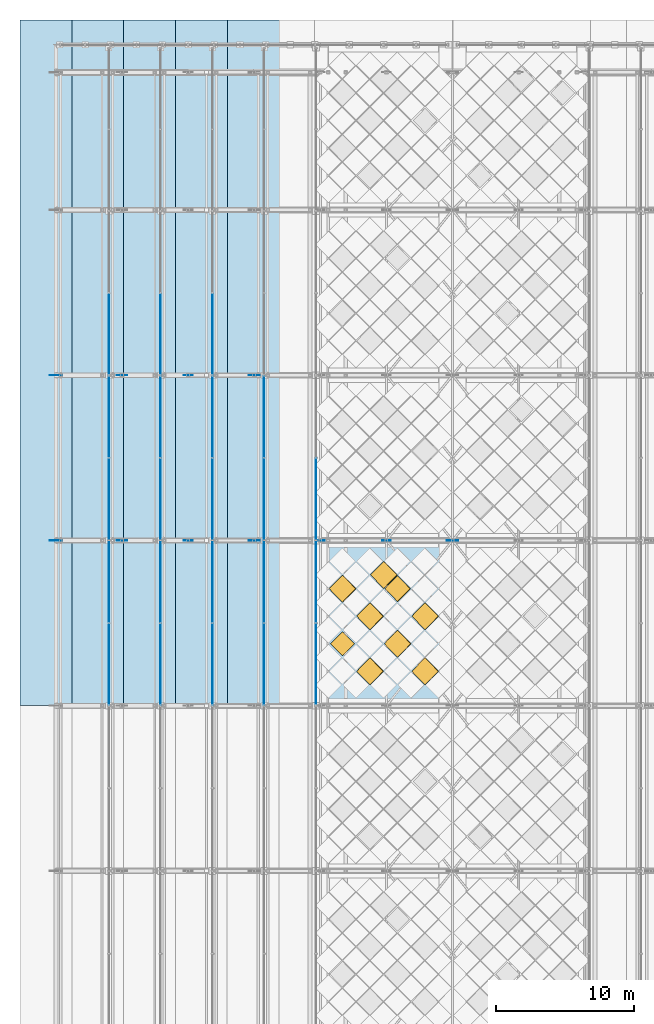
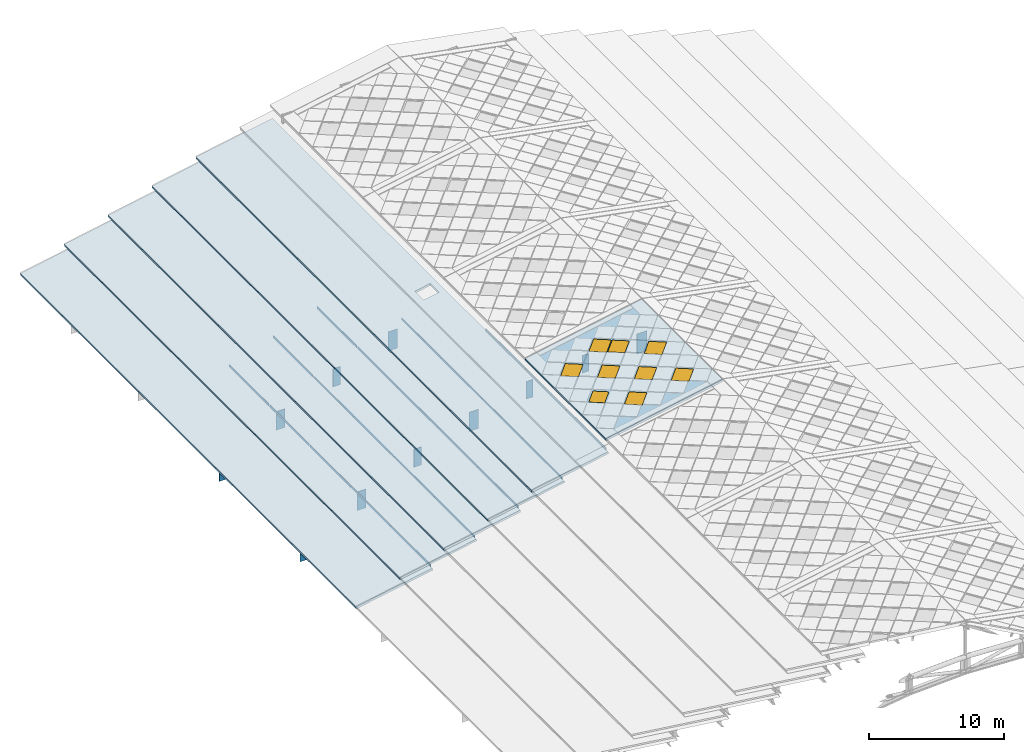
# One storey, part 93 of 117: 33 plates, 9 windows, 6 slabs, 9 openings, 8 elements without a shape of their own.
"""IFC4 building model written with IfcOpenShell, lengths in metres."""

from ifc_helpers import new_model, si_unit, direction, frame, origin, origin_2d, place, context, subcontext, project, spatial, polyline, rectangle, outline, extrude, material, layer, layer_set, type_object, element, fill, aggregate, save


model = new_model("IFC4")

# Units and contexts
model_context = context("Model", 3, precision=1e-05, world=origin(), true_north=direction((0.0, 1.0)))
body_context = subcontext(model_context, "Body", "Model", "MODEL_VIEW")
ifc_project = project(units=[si_unit("LENGTHUNIT", "METRE"), si_unit("AREAUNIT", "SQUARE_METRE"), si_unit("VOLUMEUNIT", "CUBIC_METRE"), si_unit("PLANEANGLEUNIT", "RADIAN"), si_unit("MASSUNIT", "GRAM", prefix="KILO")], contexts=[model_context])

# Site, building, storey
site_placement = place(None, origin())
site = spatial("IfcSite", under=ifc_project, at=site_placement, CompositionType="ELEMENT")
building_placement = place(site_placement, origin())
building = spatial("IfcBuilding", under=site, at=building_placement, Name="Merenkruunu Market Hall", CompositionType="ELEMENT")
storey_placement = place(building_placement, frame((0.0, 0.0, 22.800048828125)))
storey = spatial("IfcBuildingStorey", under=building, at=storey_placement, Name="RF", CompositionType="ELEMENT", Elevation=22.800048828125)

# Curtain wall, plates
ifc_material_1 = material(Name="Powder-coated aluminium", Category="aluminium")
curtain_wall_type = type_object("IfcCurtainWallType", Name="Clerestory Curtain Band CL05", PredefinedType="USERDEFINED", material=ifc_material_1)
curtain_wall_1_placement = place(storey_placement, origin())
curtain_wall_1 = element("IfcCurtainWall", 1, at=curtain_wall_1_placement, inside=storey, type_object=curtain_wall_type, Name="CW-RF-CWM04-085", ObjectType="CLERESTORY_BAND", PredefinedType="USERDEFINED")
ifc_material_2 = material(Name="Triple low-E insulated glass", Category="glass")
ifc_layer_1 = layer(ifc_material_2, 0.035888671875)
ifc_layer_set_1 = layer_set([ifc_layer_1], Name="Triple low-E insulated glass")
plate_type_1 = type_object("IfcPlateType", Name="Curtain Wall Glazing Panel CWP08", PredefinedType="CURTAIN_PANEL", material=ifc_layer_set_1)
plate_1_placement = place(storey_placement, frame((3.840087890625, 66.617431640625, -6.462158203125), z_axis=(0.0, 0.0, 1.0), x_axis=(0.0, 1.0, 0.0)))
plate_1 = element("IfcPlate", 2, at=plate_1_placement, type_object=plate_type_1, Name="CL05 panel 1.1", PredefinedType="CURTAIN_PANEL", context=body_context, shape_type="SweptSolid", body=[
    extrude(rectangle(XDim=5.89501953125, YDim=0.035888671875, at=origin_2d()), origin(), (0.0, 0.0, 1.0), 0.22802734375),
])
plate_2_placement = place(storey_placement, frame((3.840087890625, 72.60009765625, -6.462158203125), z_axis=(0.0, 0.0, 1.0), x_axis=(0.0, 1.0, 0.0)))
plate_2 = element("IfcPlate", 3, at=plate_2_placement, type_object=plate_type_1, Name="CL05 panel 2.1", PredefinedType="CURTAIN_PANEL", context=body_context, shape_type="SweptSolid", body=[
    extrude(rectangle(XDim=5.929931640625, YDim=0.035888671875, at=origin_2d()), origin(), (0.0, 0.0, 1.0), 0.22802734375),
])
plate_3_placement = place(storey_placement, frame((3.840087890625, 78.60009765625, -6.462158203125), z_axis=(0.0, 0.0, 1.0), x_axis=(0.0, 1.0, 0.0)))
plate_3 = element("IfcPlate", 4, at=plate_3_placement, type_object=plate_type_1, Name="CL05 panel 3.1", PredefinedType="CURTAIN_PANEL", context=body_context, shape_type="SweptSolid", body=[
    extrude(rectangle(XDim=5.929931640625, YDim=0.035888671875, at=origin_2d()), origin(), (0.0, 0.0, 1.0), 0.22802734375),
])
plate_4_placement = place(storey_placement, frame((3.840087890625, 84.58251953125, -6.462158203125), z_axis=(0.0, 0.0, 1.0), x_axis=(0.0, 1.0, 0.0)))
plate_4 = element("IfcPlate", 5, at=plate_4_placement, type_object=plate_type_1, Name="CL05 panel 4.1", PredefinedType="CURTAIN_PANEL", context=body_context, shape_type="SweptSolid", body=[
    extrude(rectangle(XDim=5.89501953125, YDim=0.035888671875, at=origin_2d()), origin(), (0.0, 0.0, 1.0), 0.22802734375),
])
aggregate(curtain_wall_1, [plate_1, plate_2, plate_3, plate_4])

# Curtain wall, plate
curtain_wall_2_placement = place(storey_placement, origin())
curtain_wall_2 = element("IfcCurtainWall", 6, at=curtain_wall_2_placement, inside=storey, type_object=curtain_wall_type, Name="CW-RF-CWM04-087", ObjectType="CLERESTORY_BAND", PredefinedType="USERDEFINED")
plate_5_placement = place(storey_placement, frame((3.840087890625, 90.592529296875, -6.462158203125), z_axis=(0.0, 0.0, 1.0), x_axis=(0.0, 1.0, 0.0)))
plate_5 = element("IfcPlate", 7, at=plate_5_placement, type_object=plate_type_1, Name="CL05 panel 1.1", PredefinedType="CURTAIN_PANEL", context=body_context, shape_type="SweptSolid", body=[
    extrude(rectangle(XDim=5.844970703125, YDim=0.035888671875, at=origin_2d()), origin(), (0.0, 0.0, 1.0), 0.22802734375),
])
aggregate(curtain_wall_2, [plate_5])

# Curtain wall, plates
curtain_wall_3_placement = place(storey_placement, origin())
curtain_wall_3 = element("IfcCurtainWall", 8, at=curtain_wall_3_placement, inside=storey, type_object=curtain_wall_type, Name="CW-RF-CWM04-093", ObjectType="CLERESTORY_BAND", PredefinedType="USERDEFINED")
plate_6_placement = place(storey_placement, frame((7.60009765625, 66.617431640625, -5.14208984375), z_axis=(0.0, 0.0, 1.0), x_axis=(0.0, 1.0, 0.0)))
plate_6 = element("IfcPlate", 9, at=plate_6_placement, type_object=plate_type_1, Name="CL05 panel 1.1", PredefinedType="CURTAIN_PANEL", context=body_context, shape_type="SweptSolid", body=[
    extrude(rectangle(XDim=5.89501953125, YDim=0.035888671875, at=origin_2d()), origin(), (0.0, 0.0, 1.0), 0.20703125),
])
plate_7_placement = place(storey_placement, frame((7.60009765625, 72.60009765625, -5.14208984375), z_axis=(0.0, 0.0, 1.0), x_axis=(0.0, 1.0, 0.0)))
plate_7 = element("IfcPlate", 10, at=plate_7_placement, type_object=plate_type_1, Name="CL05 panel 2.1", PredefinedType="CURTAIN_PANEL", context=body_context, shape_type="SweptSolid", body=[
    extrude(rectangle(XDim=5.929931640625, YDim=0.035888671875, at=origin_2d()), origin(), (0.0, 0.0, 1.0), 0.20703125),
])
plate_8_placement = place(storey_placement, frame((7.60009765625, 78.60009765625, -5.14208984375), z_axis=(0.0, 0.0, 1.0), x_axis=(0.0, 1.0, 0.0)))
plate_8 = element("IfcPlate", 11, at=plate_8_placement, type_object=plate_type_1, Name="CL05 panel 3.1", PredefinedType="CURTAIN_PANEL", context=body_context, shape_type="SweptSolid", body=[
    extrude(rectangle(XDim=5.929931640625, YDim=0.035888671875, at=origin_2d()), origin(), (0.0, 0.0, 1.0), 0.20703125),
])
plate_9_placement = place(storey_placement, frame((7.60009765625, 84.58251953125, -5.14208984375), z_axis=(0.0, 0.0, 1.0), x_axis=(0.0, 1.0, 0.0)))
plate_9 = element("IfcPlate", 12, at=plate_9_placement, type_object=plate_type_1, Name="CL05 panel 4.1", PredefinedType="CURTAIN_PANEL", context=body_context, shape_type="SweptSolid", body=[
    extrude(rectangle(XDim=5.89501953125, YDim=0.035888671875, at=origin_2d()), origin(), (0.0, 0.0, 1.0), 0.20703125),
])
aggregate(curtain_wall_3, [plate_6, plate_7, plate_8, plate_9])

# Curtain wall, plate
curtain_wall_4_placement = place(storey_placement, origin())
curtain_wall_4 = element("IfcCurtainWall", 13, at=curtain_wall_4_placement, inside=storey, type_object=curtain_wall_type, Name="CW-RF-CWM04-095", ObjectType="CLERESTORY_BAND", PredefinedType="USERDEFINED")
plate_10_placement = place(storey_placement, frame((7.60009765625, 90.592529296875, -5.14208984375), z_axis=(0.0, 0.0, 1.0), x_axis=(0.0, 1.0, 0.0)))
plate_10 = element("IfcPlate", 14, at=plate_10_placement, type_object=plate_type_1, Name="CL05 panel 1.1", PredefinedType="CURTAIN_PANEL", context=body_context, shape_type="SweptSolid", body=[
    extrude(rectangle(XDim=5.844970703125, YDim=0.035888671875, at=origin_2d()), origin(), (0.0, 0.0, 1.0), 0.20703125),
])
aggregate(curtain_wall_4, [plate_10])

# Curtain wall, plates
curtain_wall_5_placement = place(storey_placement, origin())
curtain_wall_5 = element("IfcCurtainWall", 15, at=curtain_wall_5_placement, inside=storey, type_object=curtain_wall_type, Name="CW-RF-CWM04-101", ObjectType="CLERESTORY_BAND", PredefinedType="USERDEFINED")
plate_11_placement = place(storey_placement, frame((11.360107421875, 66.617431640625, -3.822021484375), z_axis=(0.0, 0.0, 1.0), x_axis=(0.0, 1.0, 0.0)))
plate_11 = element("IfcPlate", 16, at=plate_11_placement, type_object=plate_type_1, Name="CL05 panel 1.1", PredefinedType="CURTAIN_PANEL", context=body_context, shape_type="SweptSolid", body=[
    extrude(rectangle(XDim=5.89501953125, YDim=0.035888671875, at=origin_2d()), origin(), (0.0, 0.0, 1.0), 0.22802734375),
])
plate_12_placement = place(storey_placement, frame((11.360107421875, 72.60009765625, -3.822021484375), z_axis=(0.0, 0.0, 1.0), x_axis=(0.0, 1.0, 0.0)))
plate_12 = element("IfcPlate", 17, at=plate_12_placement, type_object=plate_type_1, Name="CL05 panel 2.1", PredefinedType="CURTAIN_PANEL", context=body_context, shape_type="SweptSolid", body=[
    extrude(rectangle(XDim=5.929931640625, YDim=0.035888671875, at=origin_2d()), origin(), (0.0, 0.0, 1.0), 0.22802734375),
])
plate_13_placement = place(storey_placement, frame((11.360107421875, 78.60009765625, -3.822021484375), z_axis=(0.0, 0.0, 1.0), x_axis=(0.0, 1.0, 0.0)))
plate_13 = element("IfcPlate", 18, at=plate_13_placement, type_object=plate_type_1, Name="CL05 panel 3.1", PredefinedType="CURTAIN_PANEL", context=body_context, shape_type="SweptSolid", body=[
    extrude(rectangle(XDim=5.929931640625, YDim=0.035888671875, at=origin_2d()), origin(), (0.0, 0.0, 1.0), 0.22802734375),
])
plate_14_placement = place(storey_placement, frame((11.360107421875, 84.58251953125, -3.822021484375), z_axis=(0.0, 0.0, 1.0), x_axis=(0.0, 1.0, 0.0)))
plate_14 = element("IfcPlate", 19, at=plate_14_placement, type_object=plate_type_1, Name="CL05 panel 4.1", PredefinedType="CURTAIN_PANEL", context=body_context, shape_type="SweptSolid", body=[
    extrude(rectangle(XDim=5.89501953125, YDim=0.035888671875, at=origin_2d()), origin(), (0.0, 0.0, 1.0), 0.22802734375),
])
aggregate(curtain_wall_5, [plate_11, plate_12, plate_13, plate_14])

# Curtain wall, plate
curtain_wall_6_placement = place(storey_placement, origin())
curtain_wall_6 = element("IfcCurtainWall", 20, at=curtain_wall_6_placement, inside=storey, type_object=curtain_wall_type, Name="CW-RF-CWM04-103", ObjectType="CLERESTORY_BAND", PredefinedType="USERDEFINED")
plate_15_placement = place(storey_placement, frame((11.360107421875, 90.592529296875, -3.822021484375), z_axis=(0.0, 0.0, 1.0), x_axis=(0.0, 1.0, 0.0)))
plate_15 = element("IfcPlate", 21, at=plate_15_placement, type_object=plate_type_1, Name="CL05 panel 1.1", PredefinedType="CURTAIN_PANEL", context=body_context, shape_type="SweptSolid", body=[
    extrude(rectangle(XDim=5.844970703125, YDim=0.035888671875, at=origin_2d()), origin(), (0.0, 0.0, 1.0), 0.22802734375),
])
aggregate(curtain_wall_6, [plate_15])

# Curtain wall, plates
curtain_wall_7_placement = place(storey_placement, origin())
curtain_wall_7 = element("IfcCurtainWall", 22, at=curtain_wall_7_placement, inside=storey, type_object=curtain_wall_type, Name="CW-RF-CWM04-109", ObjectType="CLERESTORY_BAND", PredefinedType="USERDEFINED")
plate_16_placement = place(storey_placement, frame((15.1201171875, 66.617431640625, -2.501953125), z_axis=(0.0, 0.0, 1.0), x_axis=(0.0, 1.0, 0.0)))
plate_16 = element("IfcPlate", 23, at=plate_16_placement, type_object=plate_type_1, Name="CL05 panel 1.1", PredefinedType="CURTAIN_PANEL", context=body_context, shape_type="SweptSolid", body=[
    extrude(rectangle(XDim=5.89501953125, YDim=0.035888671875, at=origin_2d()), origin(), (0.0, 0.0, 1.0), 0.20703125),
])
plate_17_placement = place(storey_placement, frame((15.1201171875, 72.60009765625, -2.501953125), z_axis=(0.0, 0.0, 1.0), x_axis=(0.0, 1.0, 0.0)))
plate_17 = element("IfcPlate", 24, at=plate_17_placement, type_object=plate_type_1, Name="CL05 panel 2.1", PredefinedType="CURTAIN_PANEL", context=body_context, shape_type="SweptSolid", body=[
    extrude(rectangle(XDim=5.929931640625, YDim=0.035888671875, at=origin_2d()), origin(), (0.0, 0.0, 1.0), 0.20703125),
])
plate_18_placement = place(storey_placement, frame((15.1201171875, 78.60009765625, -2.501953125), z_axis=(0.0, 0.0, 1.0), x_axis=(0.0, 1.0, 0.0)))
plate_18 = element("IfcPlate", 25, at=plate_18_placement, type_object=plate_type_1, Name="CL05 panel 3.1", PredefinedType="CURTAIN_PANEL", context=body_context, shape_type="SweptSolid", body=[
    extrude(rectangle(XDim=5.929931640625, YDim=0.035888671875, at=origin_2d()), origin(), (0.0, 0.0, 1.0), 0.20703125),
])
plate_19_placement = place(storey_placement, frame((15.1201171875, 84.58251953125, -2.501953125), z_axis=(0.0, 0.0, 1.0), x_axis=(0.0, 1.0, 0.0)))
plate_19 = element("IfcPlate", 26, at=plate_19_placement, type_object=plate_type_1, Name="CL05 panel 4.1", PredefinedType="CURTAIN_PANEL", context=body_context, shape_type="SweptSolid", body=[
    extrude(rectangle(XDim=5.89501953125, YDim=0.035888671875, at=origin_2d()), origin(), (0.0, 0.0, 1.0), 0.20703125),
])
aggregate(curtain_wall_7, [plate_16, plate_17, plate_18, plate_19])

curtain_wall_8_placement = place(storey_placement, origin())
curtain_wall_8 = element("IfcCurtainWall", 27, at=curtain_wall_8_placement, inside=storey, type_object=curtain_wall_type, Name="CW-RF-CWM04-117", ObjectType="CLERESTORY_BAND", PredefinedType="USERDEFINED")
plate_20_placement = place(storey_placement, frame((18.8798828125, 66.617431640625, -1.18212890625), z_axis=(0.0, 0.0, 1.0), x_axis=(0.0, 1.0, 0.0)))
plate_20 = element("IfcPlate", 28, at=plate_20_placement, type_object=plate_type_1, Name="CL05 panel 1.1", PredefinedType="CURTAIN_PANEL", context=body_context, shape_type="SweptSolid", body=[
    extrude(rectangle(XDim=5.89501953125, YDim=0.035888671875, at=origin_2d()), origin(), (0.0, 0.0, 1.0), 0.22802734375),
])
plate_21_placement = place(storey_placement, frame((18.8798828125, 72.60009765625, -1.18212890625), z_axis=(0.0, 0.0, 1.0), x_axis=(0.0, 1.0, 0.0)))
plate_21 = element("IfcPlate", 29, at=plate_21_placement, type_object=plate_type_1, Name="CL05 panel 2.1", PredefinedType="CURTAIN_PANEL", context=body_context, shape_type="SweptSolid", body=[
    extrude(rectangle(XDim=5.929931640625, YDim=0.035888671875, at=origin_2d()), origin(), (0.0, 0.0, 1.0), 0.22802734375),
])
plate_22_placement = place(storey_placement, frame((18.8798828125, 78.60009765625, -1.18212890625), z_axis=(0.0, 0.0, 1.0), x_axis=(0.0, 1.0, 0.0)))
plate_22 = element("IfcPlate", 30, at=plate_22_placement, type_object=plate_type_1, Name="CL05 panel 3.1", PredefinedType="CURTAIN_PANEL", context=body_context, shape_type="SweptSolid", body=[
    extrude(rectangle(XDim=5.929931640625, YDim=0.035888671875, at=origin_2d()), origin(), (0.0, 0.0, 1.0), 0.22802734375),
])
aggregate(curtain_wall_8, [plate_20, plate_21, plate_22])

# Slabs
ifc_material_3 = material(Name="High-albedo white roof Steel S355ML", Category="steel")
ifc_layer_2 = layer(ifc_material_3, 0.199951171875)
ifc_layer_set_2 = layer_set([ifc_layer_2], Name="High-albedo white roof Steel S355ML")
slab_type_1 = type_object("IfcSlabType", Name="Sloped Or Flat Roof Deck RS01", PredefinedType="ROOF", material=ifc_layer_set_2)
slab_1_placement = place(storey_placement, frame((-2.60009765625, 63.60009765625, -7.800048828125), z_axis=(-0.182233397966, 0.0, 0.983255301875), x_axis=(0.983255301875, 0.0, 0.182233397966)))
element("IfcSlab", 31, at=slab_1_placement, inside=storey, type_object=slab_type_1, Name="SL-ROOF-V1-TW1-N", PredefinedType="ROOF", context=body_context, shape_type="SweptSolid", body=[
    extrude(outline(polyline([(0.0, 0.0), (6.671775459779865, 0.0), (6.671775459779865, 49.7998046875), (0.0, 49.7998046875), (0.0, 0.0)]), holes=[polyline([(4.841049288943523, 24.25), (6.16328588066131, 24.25), (6.16328588066131, 25.5498046875), (4.841049288943523, 25.5498046875), (4.841049288943523, 24.25)])]), origin(), (0.0, 0.0, -1.0), 0.199951171875),
])
slab_2_placement = place(storey_placement, frame((4.919921875, 63.60009765625, -5.16015625), z_axis=(-0.182233397966, 0.0, 0.983255301875), x_axis=(0.983255301875, 0.0, 0.182233397966)))
element("IfcSlab", 32, at=slab_2_placement, inside=storey, type_object=slab_type_1, Name="SL-ROOF-V1-TW3-N", PredefinedType="ROOF", context=body_context, shape_type="SweptSolid", body=[
    extrude(outline(polyline([(0.0, 0.0), (6.671775459779865, 0.0), (6.671775459779865, 49.7998046875), (0.0, 49.7998046875), (0.0, 0.0)]), holes=[polyline([(4.841093779519199, 24.25), (6.16328588066131, 24.25), (6.16328588066131, 25.5498046875), (4.841093779519199, 25.5498046875), (4.841093779519199, 24.25)])]), origin(), (0.0, 0.0, -1.0), 0.199951171875),
])
slab_3_placement = place(storey_placement, frame((12.43994140625, 63.60009765625, -2.52001953125), z_axis=(-0.182233397966, 0.0, 0.983255301875), x_axis=(0.983255301875, 0.0, 0.182233397966)))
element("IfcSlab", 33, at=slab_3_placement, inside=storey, type_object=slab_type_1, Name="SL-ROOF-V1-TW5-N", PredefinedType="ROOF", context=body_context, shape_type="SweptSolid", body=[
    extrude(outline(polyline([(0.0, 0.0), (6.671775459779865, 0.0), (6.671775459779865, 49.7998046875), (0.0, 49.7998046875), (0.0, 0.0)]), holes=[polyline([(4.841049288943523, 24.25), (6.16328588066131, 24.25), (6.16328588066131, 25.5498046875), (4.841049288943523, 25.5498046875), (4.841049288943523, 24.25)])]), origin(), (0.0, 0.0, -1.0), 0.199951171875),
])

# Slab, openings, windows
slab_4_placement = place(storey_placement, frame((18.800048828125, 63.60009765625, -0.080078125), z_axis=(-0.184775267092, 0.0, 0.98278079991), x_axis=(0.98278079991, 0.0, 0.184775267092)))
slab_4 = element("IfcSlab", 34, at=slab_4_placement, inside=storey, type_object=slab_type_1, Name="SL-ROOF-V1-CROWN-W-05", PredefinedType="ROOF", context=body_context, shape_type="SweptSolid", body=[
    extrude(outline(polyline([(0.0, 0.0), (10.175208959027184, 0.0), (10.175208959027184, 12.0), (0.0, 12.0), (0.0, 0.0)])), origin(), (0.0, 0.0, -1.0), 0.199951171875),
])
opening_1_placement = place(slab_4_placement, frame((8.14013671875, 2.5, 0.0), z_axis=(0.0, 0.0, 1.0), x_axis=(0.707106781187, 0.707106781187, 0.0)))
opening_1 = element("IfcOpeningElement", 35, at=opening_1_placement, cuts=slab_4, Name="Opening SK01", PredefinedType="OPENING", context=body_context, shape_type="SweptSolid", body=[
    extrude(rectangle(XDim=1.3798828125, YDim=1.3798828125, at=origin_2d()), frame((0.0, 0.0, 0.014892578125), z_axis=(0.0, 0.0, -1.0), x_axis=(1.0, 0.0, 0.0)), (0.0, 0.0, 1.0), 0.229736328125),
])
opening_2_placement = place(slab_4_placement, frame((8.14013671875, 6.5, 0.0), z_axis=(0.0, 0.0, 1.0), x_axis=(0.707106781187, 0.707106781187, 0.0)))
opening_2 = element("IfcOpeningElement", 36, at=opening_2_placement, cuts=slab_4, Name="Opening SK01", PredefinedType="OPENING", context=body_context, shape_type="SweptSolid", body=[
    extrude(rectangle(XDim=1.3798828125, YDim=1.3798828125, at=origin_2d()), frame((0.0, 0.0, 0.014892578125), z_axis=(0.0, 0.0, -1.0), x_axis=(1.0, 0.0, 0.0)), (0.0, 0.0, 1.0), 0.229736328125),
])
opening_3_placement = place(slab_4_placement, frame((6.10498046875, 4.5, -0.000244140625), z_axis=(0.0, 0.0, 1.0), x_axis=(0.707106781187, 0.707106781187, 0.0)))
opening_3 = element("IfcOpeningElement", 37, at=opening_3_placement, cuts=slab_4, Name="Opening SK01", PredefinedType="OPENING", context=body_context, shape_type="SweptSolid", body=[
    extrude(rectangle(XDim=1.3798828125, YDim=1.3798828125, at=origin_2d()), frame((0.0, 0.0, 0.014892578125), z_axis=(0.0, 0.0, -1.0), x_axis=(1.0, 0.0, 0.0)), (0.0, 0.0, 1.0), 0.229736328125),
])
opening_4_placement = place(slab_4_placement, frame((6.10498046875, 8.5, -0.000244140625), z_axis=(0.0, 0.0, 1.0), x_axis=(0.707106781187, 0.707106781187, 0.0)))
opening_4 = element("IfcOpeningElement", 38, at=opening_4_placement, cuts=slab_4, Name="Opening SK02", PredefinedType="OPENING", context=body_context, shape_type="SweptSolid", body=[
    extrude(rectangle(XDim=1.320068359375, YDim=1.320068359375, at=origin_2d()), frame((0.0, 0.0, 0.014892578125), z_axis=(0.0, 0.0, -1.0), x_axis=(1.0, 0.0, 0.0)), (0.0, 0.0, 1.0), 0.229736328125),
])
opening_5_placement = place(slab_4_placement, frame((5.087646484375, 9.5, 0.0), z_axis=(0.0, 0.0, 1.0), x_axis=(0.707106781187, 0.707106781187, 0.0)))
opening_5 = element("IfcOpeningElement", 39, at=opening_5_placement, cuts=slab_4, Name="Opening SK01", PredefinedType="OPENING", context=body_context, shape_type="SweptSolid", body=[
    extrude(rectangle(XDim=1.3798828125, YDim=1.3798828125, at=origin_2d()), frame((0.0, 0.0, 0.014892578125), z_axis=(0.0, 0.0, -1.0), x_axis=(1.0, 0.0, 0.0)), (0.0, 0.0, 1.0), 0.229736328125),
])
opening_6_placement = place(slab_4_placement, frame((4.070068359375, 2.5, 0.0), z_axis=(0.0, 0.0, 1.0), x_axis=(0.707106781187, 0.707106781187, 0.0)))
opening_6 = element("IfcOpeningElement", 40, at=opening_6_placement, cuts=slab_4, Name="Opening SK01", PredefinedType="OPENING", context=body_context, shape_type="SweptSolid", body=[
    extrude(rectangle(XDim=1.3798828125, YDim=1.3798828125, at=origin_2d()), frame((0.0, 0.0, 0.014892578125), z_axis=(0.0, 0.0, -1.0), x_axis=(1.0, 0.0, 0.0)), (0.0, 0.0, 1.0), 0.229736328125),
])
opening_7_placement = place(slab_4_placement, frame((4.070068359375, 6.5, 0.0), z_axis=(0.0, 0.0, 1.0), x_axis=(0.707106781187, 0.707106781187, 0.0)))
opening_7 = element("IfcOpeningElement", 41, at=opening_7_placement, cuts=slab_4, Name="Opening SK01", PredefinedType="OPENING", context=body_context, shape_type="SweptSolid", body=[
    extrude(rectangle(XDim=1.3798828125, YDim=1.3798828125, at=origin_2d()), frame((0.0, 0.0, 0.014892578125), z_axis=(0.0, 0.0, -1.0), x_axis=(1.0, 0.0, 0.0)), (0.0, 0.0, 1.0), 0.229736328125),
])
opening_8_placement = place(slab_4_placement, frame((2.034912109375, 4.5, 0.0), z_axis=(0.0, 0.0, 1.0), x_axis=(0.707106781187, 0.707106781187, 0.0)))
opening_8 = element("IfcOpeningElement", 42, at=opening_8_placement, cuts=slab_4, Name="Opening SK03", PredefinedType="OPENING", context=body_context, shape_type="SweptSolid", body=[
    extrude(rectangle(XDim=1.239990234375, YDim=1.239990234375, at=origin_2d()), frame((0.0, 0.0, 0.014892578125), z_axis=(0.0, 0.0, -1.0), x_axis=(1.0, 0.0, 0.0)), (0.0, 0.0, 1.0), 0.229736328125),
])
opening_9_placement = place(slab_4_placement, frame((2.034912109375, 8.5, 0.0), z_axis=(0.0, 0.0, 1.0), x_axis=(0.707106781187, 0.707106781187, 0.0)))
opening_9 = element("IfcOpeningElement", 43, at=opening_9_placement, cuts=slab_4, Name="Opening SK01", PredefinedType="OPENING", context=body_context, shape_type="SweptSolid", body=[
    extrude(rectangle(XDim=1.3798828125, YDim=1.3798828125, at=origin_2d()), frame((0.0, 0.0, 0.014892578125), z_axis=(0.0, 0.0, -1.0), x_axis=(1.0, 0.0, 0.0)), (0.0, 0.0, 1.0), 0.229736328125),
])
ifc_material_4 = material(Name="Diamond skylight blue triple glass", Category="glass")
ifc_layer_3 = layer(ifc_material_4, 0.094970703125)
ifc_layer_set_3 = layer_set([ifc_layer_3], Name="Diamond skylight blue triple glass")
window_type_1 = type_object("IfcWindowType", Name="Diamond Roof Skylight SK01", PartitioningType="SINGLE_PANEL", PredefinedType="SKYLIGHT", material=ifc_layer_set_3)
window_1_placement = place(opening_1_placement, origin())
window_1 = element("IfcWindow", 44, at=window_1_placement, inside=storey, type_object=window_type_1, Name="SKY-CROWN-073", OverallHeight=1.3798828125, OverallWidth=1.3798828125, PartitioningType="SINGLE_PANEL", PredefinedType="SKYLIGHT", context=body_context, shape_type="SweptSolid", body=[
    extrude(rectangle(XDim=1.3798828125, YDim=1.3798828125, at=origin_2d()), frame((0.0, 0.0, 0.0), z_axis=(0.0, 0.0, -1.0), x_axis=(1.0, 0.0, 0.0)), (0.0, 0.0, 1.0), 0.094970703125),
])
fill(opening_1, window_1)
window_2_placement = place(opening_2_placement, origin())
window_2 = element("IfcWindow", 45, at=window_2_placement, inside=storey, type_object=window_type_1, Name="SKY-CROWN-074", OverallHeight=1.3798828125, OverallWidth=1.3798828125, PartitioningType="SINGLE_PANEL", PredefinedType="SKYLIGHT", context=body_context, shape_type="SweptSolid", body=[
    extrude(rectangle(XDim=1.3798828125, YDim=1.3798828125, at=origin_2d()), frame((0.0, 0.0, 0.0), z_axis=(0.0, 0.0, -1.0), x_axis=(1.0, 0.0, 0.0)), (0.0, 0.0, 1.0), 0.094970703125),
])
fill(opening_2, window_2)
window_3_placement = place(opening_3_placement, origin())
window_3 = element("IfcWindow", 46, at=window_3_placement, inside=storey, type_object=window_type_1, Name="SKY-CROWN-075", OverallHeight=1.3798828125, OverallWidth=1.3798828125, PartitioningType="SINGLE_PANEL", PredefinedType="SKYLIGHT", context=body_context, shape_type="SweptSolid", body=[
    extrude(rectangle(XDim=1.3798828125, YDim=1.3798828125, at=origin_2d()), frame((0.0, 0.0, 0.0), z_axis=(0.0, 0.0, -1.0), x_axis=(1.0, 0.0, 0.0)), (0.0, 0.0, 1.0), 0.094970703125),
])
fill(opening_3, window_3)
window_4_placement = place(opening_5_placement, origin())
window_4 = element("IfcWindow", 47, at=window_4_placement, inside=storey, type_object=window_type_1, Name="SKY-CROWN-077", OverallHeight=1.3798828125, OverallWidth=1.3798828125, PartitioningType="SINGLE_PANEL", PredefinedType="SKYLIGHT", context=body_context, shape_type="SweptSolid", body=[
    extrude(rectangle(XDim=1.3798828125, YDim=1.3798828125, at=origin_2d()), frame((0.0, 0.0, 0.0), z_axis=(0.0, 0.0, -1.0), x_axis=(1.0, 0.0, 0.0)), (0.0, 0.0, 1.0), 0.094970703125),
])
fill(opening_5, window_4)
window_5_placement = place(opening_6_placement, origin())
window_5 = element("IfcWindow", 48, at=window_5_placement, inside=storey, type_object=window_type_1, Name="SKY-CROWN-078", OverallHeight=1.3798828125, OverallWidth=1.3798828125, PartitioningType="SINGLE_PANEL", PredefinedType="SKYLIGHT", context=body_context, shape_type="SweptSolid", body=[
    extrude(rectangle(XDim=1.3798828125, YDim=1.3798828125, at=origin_2d()), frame((0.0, 0.0, 0.0), z_axis=(0.0, 0.0, -1.0), x_axis=(1.0, 0.0, 0.0)), (0.0, 0.0, 1.0), 0.094970703125),
])
fill(opening_6, window_5)
window_6_placement = place(opening_7_placement, origin())
window_6 = element("IfcWindow", 49, at=window_6_placement, inside=storey, type_object=window_type_1, Name="SKY-CROWN-079", OverallHeight=1.3798828125, OverallWidth=1.3798828125, PartitioningType="SINGLE_PANEL", PredefinedType="SKYLIGHT", context=body_context, shape_type="SweptSolid", body=[
    extrude(rectangle(XDim=1.3798828125, YDim=1.3798828125, at=origin_2d()), frame((0.0, 0.0, 0.0), z_axis=(0.0, 0.0, -1.0), x_axis=(1.0, 0.0, 0.0)), (0.0, 0.0, 1.0), 0.094970703125),
])
fill(opening_7, window_6)
window_7_placement = place(opening_9_placement, origin())
window_7 = element("IfcWindow", 50, at=window_7_placement, inside=storey, type_object=window_type_1, Name="SKY-CROWN-081", OverallHeight=1.3798828125, OverallWidth=1.3798828125, PartitioningType="SINGLE_PANEL", PredefinedType="SKYLIGHT", context=body_context, shape_type="SweptSolid", body=[
    extrude(rectangle(XDim=1.3798828125, YDim=1.3798828125, at=origin_2d()), frame((0.0, 0.0, 0.0), z_axis=(0.0, 0.0, -1.0), x_axis=(1.0, 0.0, 0.0)), (0.0, 0.0, 1.0), 0.094970703125),
])
fill(opening_9, window_7)
ifc_layer_4 = layer(ifc_material_4, 0.094970703125)
ifc_layer_set_4 = layer_set([ifc_layer_4], Name="Diamond skylight blue triple glass")
window_type_2 = type_object("IfcWindowType", Name="Diamond Roof Skylight SK02", PartitioningType="SINGLE_PANEL", PredefinedType="SKYLIGHT", material=ifc_layer_set_4)
window_8_placement = place(opening_4_placement, origin())
window_8 = element("IfcWindow", 51, at=window_8_placement, inside=storey, type_object=window_type_2, Name="SKY-CROWN-076", OverallHeight=1.320068359375, OverallWidth=1.320068359375, PartitioningType="SINGLE_PANEL", PredefinedType="SKYLIGHT", context=body_context, shape_type="SweptSolid", body=[
    extrude(rectangle(XDim=1.320068359375, YDim=1.320068359375, at=origin_2d()), frame((0.0, 0.0, 0.0), z_axis=(0.0, 0.0, -1.0), x_axis=(1.0, 0.0, 0.0)), (0.0, 0.0, 1.0), 0.094970703125),
])
fill(opening_4, window_8)
ifc_layer_5 = layer(ifc_material_4, 0.094970703125)
ifc_layer_set_5 = layer_set([ifc_layer_5], Name="Diamond skylight blue triple glass")
window_type_3 = type_object("IfcWindowType", Name="Roof Smoke Vent Skylight SK03", PartitioningType="SINGLE_PANEL", PredefinedType="SKYLIGHT", material=ifc_layer_set_5)
window_9_placement = place(opening_8_placement, origin())
window_9 = element("IfcWindow", 52, at=window_9_placement, inside=storey, type_object=window_type_3, Name="SKY-CROWN-080", OverallHeight=1.239990234375, OverallWidth=1.239990234375, PartitioningType="SINGLE_PANEL", PredefinedType="SKYLIGHT", context=body_context, shape_type="SweptSolid", body=[
    extrude(rectangle(XDim=1.239990234375, YDim=1.239990234375, at=origin_2d()), frame((0.0, 0.0, 0.0), z_axis=(0.0, 0.0, -1.0), x_axis=(1.0, 0.0, 0.0)), (0.0, 0.0, 1.0), 0.094970703125),
])
fill(opening_8, window_9)

# Slabs
ifc_layer_6 = layer(ifc_material_3, 0.179931640625)
ifc_layer_set_6 = layer_set([ifc_layer_6], Name="High-albedo white roof Steel S355ML")
slab_type_2 = type_object("IfcSlabType", Name="Sloped Or Flat Roof Deck RS02", PredefinedType="ROOF", material=ifc_layer_set_6)
slab_5_placement = place(storey_placement, frame((1.159912109375, 63.60009765625, -6.47998046875), z_axis=(-0.182233397966, 0.0, 0.983255301875), x_axis=(0.983255301875, 0.0, 0.182233397966)))
element("IfcSlab", 53, at=slab_5_placement, inside=storey, type_object=slab_type_2, Name="SL-ROOF-V1-TW2-N", PredefinedType="ROOF", context=body_context, shape_type="SweptSolid", body=[
    extrude(outline(polyline([(0.0, 0.0), (6.671775459779865, 0.0), (6.671775459779865, 49.7998046875), (0.0, 49.7998046875), (0.0, 0.0)]), holes=[polyline([(4.841049288943523, 24.25), (6.163241390085635, 24.25), (6.163241390085635, 25.5498046875), (4.841049288943523, 25.5498046875), (4.841049288943523, 24.25)])]), origin(), (0.0, 0.0, -1.0), 0.179931640625),
])
slab_6_placement = place(storey_placement, frame((8.679931640625, 63.60009765625, -3.840087890625), z_axis=(-0.182233397966, 0.0, 0.983255301875), x_axis=(0.983255301875, 0.0, 0.182233397966)))
element("IfcSlab", 54, at=slab_6_placement, inside=storey, type_object=slab_type_2, Name="SL-ROOF-V1-TW4-N", PredefinedType="ROOF", context=body_context, shape_type="SweptSolid", body=[
    extrude(outline(polyline([(0.0, 0.0), (6.671775459779865, 0.0), (6.671775459779865, 49.7998046875), (0.0, 49.7998046875), (0.0, 0.0)]), holes=[polyline([(4.841093779519199, 24.25), (6.16328588066131, 24.25), (6.16328588066131, 25.5498046875), (4.841093779519199, 25.5498046875), (4.841093779519199, 24.25)])]), origin(), (0.0, 0.0, -1.0), 0.179931640625),
])

# Plates
ifc_material_5 = material(Name="Steel S355ML", Category="steel")
ifc_layer_7 = layer(ifc_material_5, 0.030029296875)
ifc_layer_set_7 = layer_set([ifc_layer_7], Name="Steel S355ML")
plate_type_2 = type_object("IfcPlateType", Name="Truss Gusset Or Cap Plate TN01", PredefinedType="USERDEFINED", material=ifc_layer_set_7)
for number, where, z_axis, x_axis, name in (
    (55, (0.0, 75.60009765625, -11.72509765625), (0.0, 0.0, 1.0), (1.0, 0.0, 0.0), "PLT-AT-6-NODE-00"),
    (56, (0.0, 87.60009765625, -11.72509765625), (0.0, 0.0, 1.0), (1.0, 0.0, 0.0), "PLT-AT-7-NODE-00"),
):
    element("IfcPlate", number, at=place(storey_placement, frame(where, z_axis=z_axis, x_axis=x_axis)), inside=storey, type_object=plate_type_2, Name=name, ObjectType="GUSSET_PLATE", PredefinedType="USERDEFINED", context=body_context, shape_type="SweptSolid", body=[
        extrude(rectangle(XDim=0.89990234375, YDim=0.030029296875, at=origin_2d()), origin(), (0.0, 0.0, 1.0), 1.85009765625),
    ])
ifc_layer_8 = layer(ifc_material_5, 0.02490234375)
ifc_layer_set_8 = layer_set([ifc_layer_8], Name="Steel S355ML")
plate_type_3 = type_object("IfcPlateType", Name="Truss Gusset Or Cap Plate TN02", PredefinedType="USERDEFINED", material=ifc_layer_set_8)
for number, where, z_axis, x_axis, name in (
    (57, (4.800048828125, 75.60009765625, -8.81591796875), (0.0, 0.0, 1.0), (1.0, 0.0, 0.0), "PLT-AT-6-NODE-01"),
    (58, (4.800048828125, 87.60009765625, -8.81591796875), (0.0, 0.0, 1.0), (1.0, 0.0, 0.0), "PLT-AT-7-NODE-01"),
):
    element("IfcPlate", number, at=place(storey_placement, frame(where, z_axis=z_axis, x_axis=x_axis)), inside=storey, type_object=plate_type_3, Name=name, ObjectType="GUSSET_PLATE", PredefinedType="USERDEFINED", context=body_context, shape_type="SweptSolid", body=[
        extrude(rectangle(XDim=0.75, YDim=0.02490234375, at=origin_2d()), origin(), (0.0, 0.0, 1.0), 1.699951171875),
    ])
ifc_layer_9 = layer(ifc_material_5, 0.02490234375)
ifc_layer_set_9 = layer_set([ifc_layer_9], Name="Steel S355ML")
plate_type_4 = type_object("IfcPlateType", Name="Truss Gusset Or Cap Plate TN03", PredefinedType="USERDEFINED", material=ifc_layer_set_9)
for number, where, z_axis, x_axis, name in (
    (59, (9.60009765625, 75.60009765625, -6.595947265625), (0.0, 0.0, 1.0), (1.0, 0.0, 0.0), "PLT-AT-6-NODE-02"),
    (60, (9.60009765625, 87.60009765625, -6.595947265625), (0.0, 0.0, 1.0), (1.0, 0.0, 0.0), "PLT-AT-7-NODE-02"),
):
    element("IfcPlate", number, at=place(storey_placement, frame(where, z_axis=z_axis, x_axis=x_axis)), inside=storey, type_object=plate_type_4, Name=name, ObjectType="GUSSET_PLATE", PredefinedType="USERDEFINED", context=body_context, shape_type="SweptSolid", body=[
        extrude(rectangle(XDim=0.64990234375, YDim=0.02490234375, at=origin_2d()), origin(), (0.0, 0.0, 1.0), 1.64990234375),
    ])
ifc_layer_10 = layer(ifc_material_5, 0.028076171875)
ifc_layer_set_10 = layer_set([ifc_layer_10], Name="Steel S355ML")
plate_type_5 = type_object("IfcPlateType", Name="Truss Gusset Or Cap Plate TN04", PredefinedType="USERDEFINED", material=ifc_layer_set_10)
for number, where, z_axis, x_axis, name in (
    (61, (14.39990234375, 75.60009765625, -5.005126953125), (0.0, 0.0, 1.0), (1.0, 0.0, 0.0), "PLT-AT-6-NODE-03"),
    (62, (14.39990234375, 87.60009765625, -5.005126953125), (0.0, 0.0, 1.0), (1.0, 0.0, 0.0), "PLT-AT-7-NODE-03"),
):
    element("IfcPlate", number, at=place(storey_placement, frame(where, z_axis=z_axis, x_axis=x_axis)), inside=storey, type_object=plate_type_5, Name=name, ObjectType="GUSSET_PLATE", PredefinedType="USERDEFINED", context=body_context, shape_type="SweptSolid", body=[
        extrude(rectangle(XDim=0.800048828125, YDim=0.028076171875, at=origin_2d()), origin(), (0.0, 0.0, 1.0), 1.75),
    ])
ifc_layer_11 = layer(ifc_material_5, 0.02197265625)
ifc_layer_set_11 = layer_set([ifc_layer_11], Name="Steel S355ML")
plate_type_6 = type_object("IfcPlateType", Name="Truss Gusset Or Cap Plate TN05", PredefinedType="USERDEFINED", material=ifc_layer_set_11)
for number, where, z_axis, x_axis, name in (
    (63, (19.199951171875, 75.60009765625, -3.7900390625), (0.0, 0.0, 1.0), (1.0, 0.0, 0.0), "PLT-AT-6-NODE-04"),
    (64, (24.0, 75.60009765625, -3.1181640625), (0.0, 0.0, 1.0), (1.0, 0.0, 0.0), "PLT-AT-6-NODE-05"),
):
    element("IfcPlate", number, at=place(storey_placement, frame(where, z_axis=z_axis, x_axis=x_axis)), inside=storey, type_object=plate_type_6, Name=name, ObjectType="GUSSET_PLATE", PredefinedType="USERDEFINED", context=body_context, shape_type="SweptSolid", body=[
        extrude(rectangle(XDim=0.60009765625, YDim=0.02197265625, at=origin_2d()), origin(), (0.0, 0.0, 1.0), 1.60009765625),
    ])
ifc_layer_12 = layer(ifc_material_5, 0.031982421875)
ifc_layer_set_12 = layer_set([ifc_layer_12], Name="Steel S355ML")
plate_type_7 = type_object("IfcPlateType", Name="Truss Gusset Or Cap Plate TN06", PredefinedType="USERDEFINED", material=ifc_layer_set_12)
plate_23_placement = place(storey_placement, frame((28.800048828125, 75.60009765625, -2.99609375), z_axis=(0.0, 0.0, 1.0), x_axis=(1.0, 0.0, 0.0)))
element("IfcPlate", 65, at=plate_23_placement, inside=storey, type_object=plate_type_7, Name="PLT-AT-6-NODE-06", ObjectType="GUSSET_PLATE", PredefinedType="USERDEFINED", context=body_context, shape_type="SweptSolid", body=[
    extrude(rectangle(XDim=0.85009765625, YDim=0.031982421875, at=origin_2d()), origin(), (0.0, 0.0, 1.0), 1.800048828125),
])

save(model, "model.ifc")
